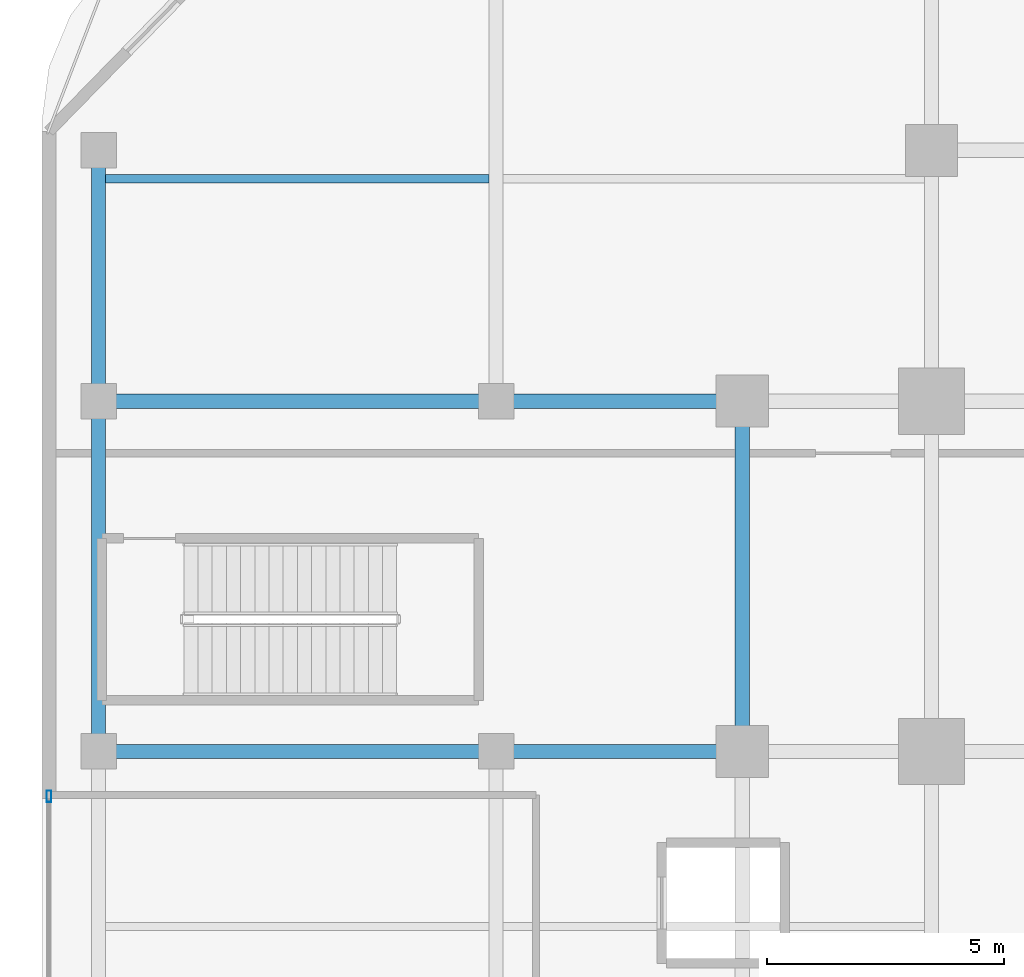
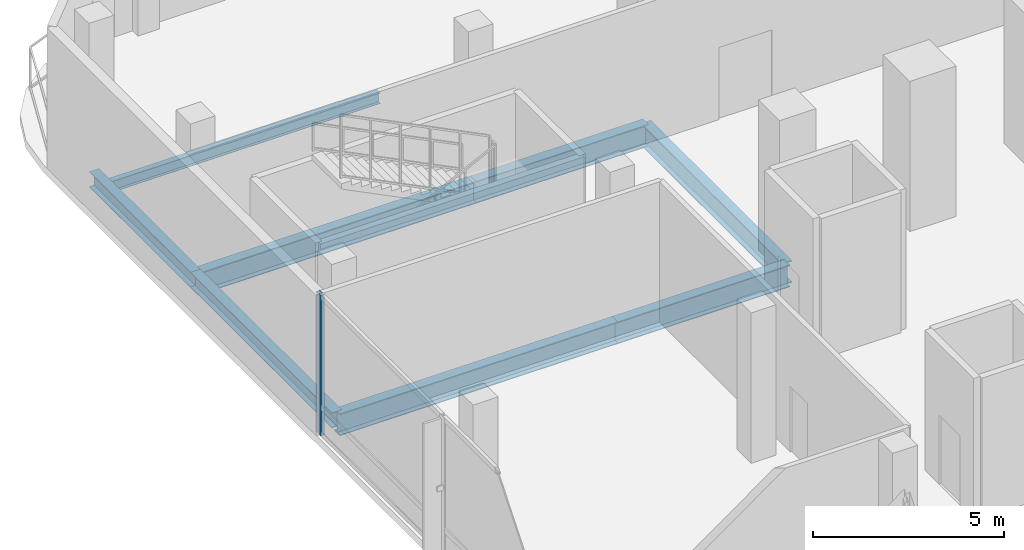
# One storey, part 4 of 19: 8 beams, 1 member, 1 element without a shape of its own.
"""IFC4 building model written with IfcOpenShell, lengths in metres."""

from ifc_helpers import new_model, si_unit, direction, frame, origin, origin_2d, place, context, subcontext, project, spatial, hollow_rectangle, i_section, extrude, material, layer, layer_set, material_profile, profile_set, type_object, element, aggregate, save


model = new_model("IFC4")

# Units and contexts
model_context = context("Model", 3, precision=1e-05, world=origin(), true_north=direction((0.0, 1.0)))
body_context = subcontext(model_context, "Body", "Model", "MODEL_VIEW")
ifc_project = project(units=[si_unit("LENGTHUNIT", "METRE"), si_unit("AREAUNIT", "SQUARE_METRE"), si_unit("VOLUMEUNIT", "CUBIC_METRE"), si_unit("PLANEANGLEUNIT", "RADIAN"), si_unit("MASSUNIT", "GRAM", prefix="KILO")], contexts=[model_context])

# Site, building, storey
site_placement = place(None, origin())
site = spatial("IfcSite", under=ifc_project, at=site_placement, CompositionType="ELEMENT")
building_placement = place(site_placement, origin())
building = spatial("IfcBuilding", under=site, at=building_placement, Name="Khorvyn Point Tower", CompositionType="ELEMENT")
storey_placement = place(building_placement, frame((0.0, 0.0, 21.60009765625)))
storey = spatial("IfcBuildingStorey", under=building, at=storey_placement, Name="L06", CompositionType="ELEMENT", Elevation=21.60009765625)

# Curtain wall, member
ifc_material_1 = material(Name="Anodised aluminium 6063-T6 and laminated Low-E glass", Category="aluminium")
ifc_layer = layer(ifc_material_1, 0.18994140625)
ifc_layer_set = layer_set([ifc_layer], Name="Stick-Built Low-E Podium Curtain Wall CW-SYS-01")
curtain_wall_type = type_object("IfcCurtainWallType", Name="Stick-Built Low-E Podium Curtain Wall CW-SYS-01", PredefinedType="NOTDEFINED", material=ifc_layer_set)
curtain_wall_placement = place(storey_placement, origin())
curtain_wall = element("IfcCurtainWall", 1, at=curtain_wall_placement, inside=storey, type_object=curtain_wall_type, Name="Curtain Wall", PredefinedType="NOTDEFINED")
ifc_material_2 = material(Name="Anodised aluminium 6063-T6", Category="aluminium")
ifc_material_profile_1 = material_profile(ifc_material_2, hollow_rectangle(XDim=0.10009765625, YDim=0.239990234375, WallThickness=0.0048828125, at=origin_2d()))
ifc_profile_set_1 = profile_set([ifc_material_profile_1], Name="Anodised aluminium 6063-T6 ALU-MUL-100x240")
member_type = type_object("IfcMemberType", Name="Anodised Aluminium 6063-T6 Mullion ALU-MUL-100x240", PredefinedType="MULLION", material=ifc_profile_set_1)
member_placement = place(storey_placement, frame((-33.449951171875, 6.449951171875, 0.0), z_axis=(0.0, 0.0, 1.0), x_axis=(-1.0, 0.0, 0.0)))
member = element("IfcMember", 2, at=member_placement, type_object=member_type, Name="Transom", PredefinedType="MULLION", context=body_context, shape_type="SweptSolid", body=[
    extrude(hollow_rectangle(XDim=0.10009765625, YDim=0.239990234375, WallThickness=0.0048828125, at=origin_2d()), origin(), (0.0, 0.0, 1.0), 4.47998046875),
])
aggregate(curtain_wall, [member])

# Beams
ifc_material_3 = material(Name="Steel S355", Category="steel")
ifc_material_profile_2 = material_profile(ifc_material_3, i_section(OverallWidth=0.300048828125, OverallDepth=0.699951171875, WebThickness=0.012939453125, FlangeThickness=0.02392578125, at=origin_2d()))
ifc_profile_set_2 = profile_set([ifc_material_profile_2], Name="Steel S355 H700x300x13x24")
beam_type_1 = type_object("IfcBeamType", Name="Steel S355 Beam H700x300x13x24", PredefinedType="BEAM", material=ifc_profile_set_2)
beam_1_placement = place(storey_placement, frame((-32.39990234375, 7.39990234375, -0.590087890625), z_axis=(1.0, 0.0, 0.0), x_axis=(0.0, 1.0, 0.0)))
element("IfcBeam", 3, at=beam_1_placement, inside=storey, type_object=beam_type_1, Name="Beam", PredefinedType="BEAM", context=body_context, shape_type="SweptSolid", body=[
    extrude(i_section(OverallWidth=0.300048828125, OverallDepth=0.699951171875, WebThickness=0.012939453125, FlangeThickness=0.02392578125, at=origin_2d()), origin(), (0.0, 0.0, 1.0), 8.39990234375),
])
beam_2_placement = place(storey_placement, frame((-24.0, 7.39990234375, -0.590087890625), z_axis=(1.0, 0.0, 0.0), x_axis=(0.0, 1.0, 0.0)))
element("IfcBeam", 4, at=beam_2_placement, inside=storey, type_object=beam_type_1, Name="Beam", PredefinedType="BEAM", context=body_context, shape_type="SweptSolid", body=[
    extrude(i_section(OverallWidth=0.300048828125, OverallDepth=0.699951171875, WebThickness=0.012939453125, FlangeThickness=0.02392578125, at=origin_2d()), origin(), (0.0, 0.0, 1.0), 5.199951171875),
])
beam_3_placement = place(storey_placement, frame((-32.39990234375, 14.800048828125, -0.590087890625), z_axis=(1.0, 0.0, 0.0), x_axis=(0.0, 1.0, 0.0)))
element("IfcBeam", 5, at=beam_3_placement, inside=storey, type_object=beam_type_1, Name="Beam", PredefinedType="BEAM", context=body_context, shape_type="SweptSolid", body=[
    extrude(i_section(OverallWidth=0.300048828125, OverallDepth=0.699951171875, WebThickness=0.012939453125, FlangeThickness=0.02392578125, at=origin_2d()), origin(), (0.0, 0.0, 1.0), 8.39990234375),
])
beam_4_placement = place(storey_placement, frame((-24.0, 14.800048828125, -0.590087890625), z_axis=(1.0, 0.0, 0.0), x_axis=(0.0, 1.0, 0.0)))
element("IfcBeam", 6, at=beam_4_placement, inside=storey, type_object=beam_type_1, Name="Beam", PredefinedType="BEAM", context=body_context, shape_type="SweptSolid", body=[
    extrude(i_section(OverallWidth=0.300048828125, OverallDepth=0.699951171875, WebThickness=0.012939453125, FlangeThickness=0.02392578125, at=origin_2d()), origin(), (0.0, 0.0, 1.0), 5.199951171875),
])
beam_5_placement = place(storey_placement, frame((-18.800048828125, 7.39990234375, -0.590087890625), z_axis=(0.0, 1.0, 0.0), x_axis=(-1.0, 0.0, 0.0)))
element("IfcBeam", 7, at=beam_5_placement, inside=storey, type_object=beam_type_1, Name="Beam", PredefinedType="BEAM", context=body_context, shape_type="SweptSolid", body=[
    extrude(i_section(OverallWidth=0.300048828125, OverallDepth=0.699951171875, WebThickness=0.012939453125, FlangeThickness=0.02392578125, at=origin_2d()), origin(), (0.0, 0.0, 1.0), 7.400146484375),
])
ifc_material_profile_3 = material_profile(ifc_material_3, i_section(OverallWidth=0.175048828125, OverallDepth=0.35009765625, WebThickness=0.007080078125, FlangeThickness=0.010986328125, at=origin_2d()))
ifc_profile_set_3 = profile_set([ifc_material_profile_3], Name="Steel S355 H350x175x7x11")
beam_type_2 = type_object("IfcBeamType", Name="Steel S355 Joist H350x175x7x11", PredefinedType="JOIST", material=ifc_profile_set_3)
beam_6_placement = place(storey_placement, frame((-32.25, 19.5, -0.4150390625), z_axis=(1.0, 0.0, 0.0), x_axis=(0.0, 1.0, 0.0)))
element("IfcBeam", 8, at=beam_6_placement, inside=storey, type_object=beam_type_2, Name="Beam", PredefinedType="JOIST", context=body_context, shape_type="SweptSolid", body=[
    extrude(i_section(OverallWidth=0.175048828125, OverallDepth=0.35009765625, WebThickness=0.007080078125, FlangeThickness=0.010986328125, at=origin_2d()), origin(), (0.0, 0.0, 1.0), 8.10009765625),
])
ifc_material_profile_4 = material_profile(ifc_material_3, i_section(OverallWidth=0.300048828125, OverallDepth=0.488037109375, WebThickness=0.010986328125, FlangeThickness=0.01806640625, at=origin_2d()))
ifc_profile_set_4 = profile_set([ifc_material_profile_4], Name="Steel S355 H488x300x11x18")
beam_type_3 = type_object("IfcBeamType", Name="Steel S355 Spandrel H488x300x11x18", PredefinedType="SPANDREL", material=ifc_profile_set_4)
beam_7_placement = place(storey_placement, frame((-32.39990234375, 7.39990234375, -0.484130859375), z_axis=(0.0, 1.0, 0.0), x_axis=(-1.0, 0.0, 0.0)))
element("IfcBeam", 9, at=beam_7_placement, inside=storey, type_object=beam_type_3, Name="Beam", PredefinedType="SPANDREL", context=body_context, shape_type="SweptSolid", body=[
    extrude(i_section(OverallWidth=0.300048828125, OverallDepth=0.488037109375, WebThickness=0.010986328125, FlangeThickness=0.01806640625, at=origin_2d()), origin(), (0.0, 0.0, 1.0), 7.400146484375),
])
beam_8_placement = place(storey_placement, frame((-32.39990234375, 14.800048828125, -0.484130859375), z_axis=(0.0, 1.0, 0.0), x_axis=(-1.0, 0.0, 0.0)))
element("IfcBeam", 10, at=beam_8_placement, inside=storey, type_object=beam_type_3, Name="Beam", PredefinedType="SPANDREL", context=body_context, shape_type="SweptSolid", body=[
    extrude(i_section(OverallWidth=0.300048828125, OverallDepth=0.488037109375, WebThickness=0.010986328125, FlangeThickness=0.01806640625, at=origin_2d()), origin(), (0.0, 0.0, 1.0), 5.300048828125),
])

save(model, "model.ifc")
